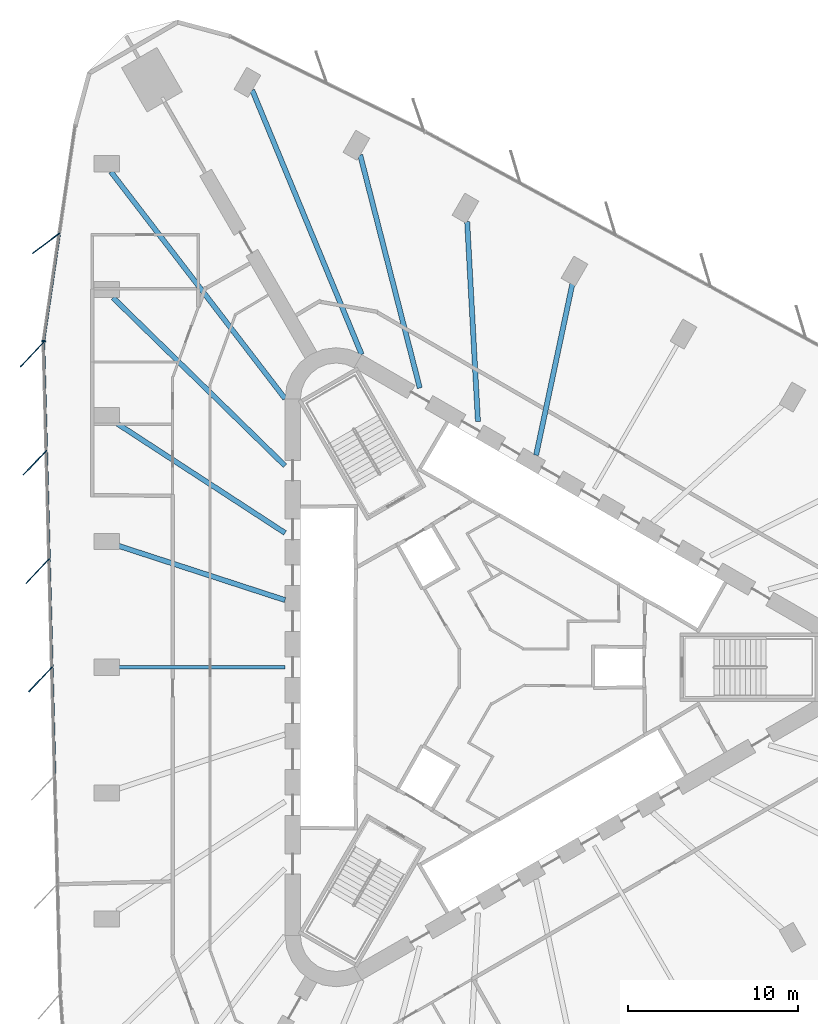
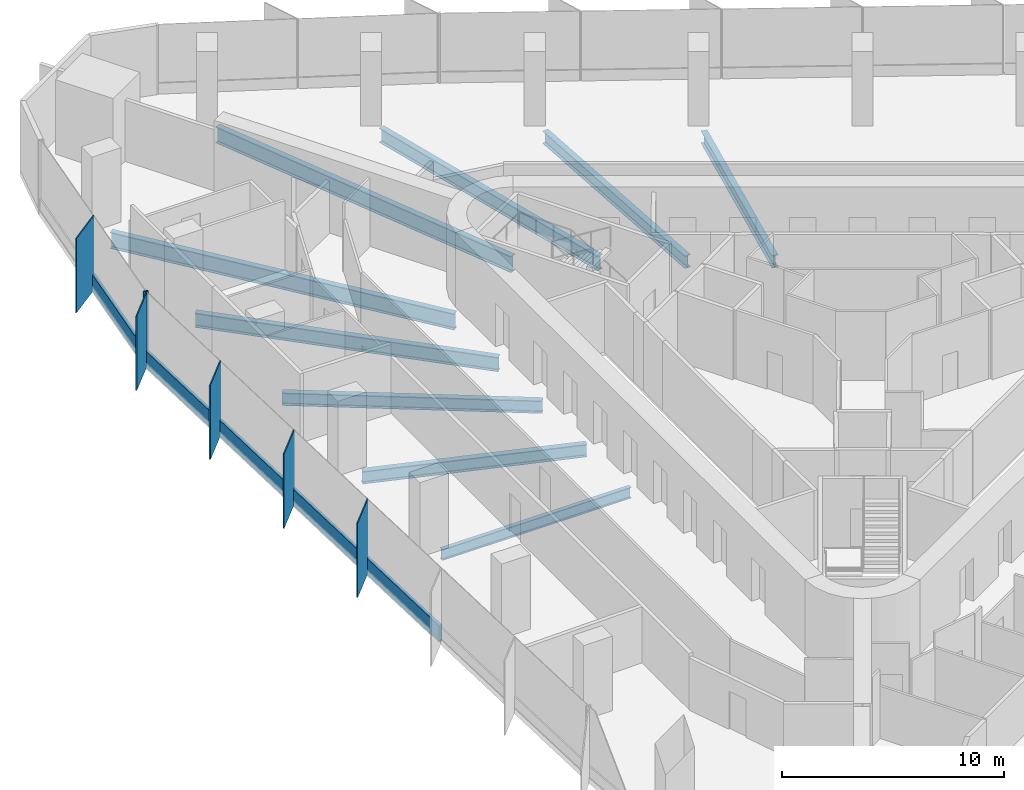
# One storey, part 4 of 14: 11 members, 9 beams, 2 elements without a shape of their own.
"""IFC4 building model written with IfcOpenShell, lengths in metres."""

from ifc_helpers import new_model, si_unit, direction, frame, origin, origin_2d, place, context, subcontext, project, spatial, rectangle, i_section, extrude, material, material_profile, profile_set, type_object, element, aggregate, save


model = new_model("IFC4")

# Units and contexts
model_context = context("Model", 3, precision=1e-05, world=origin(), true_north=direction((0.0, 1.0)))
body_context = subcontext(model_context, "Body", "Model", "MODEL_VIEW")
ifc_project = project(units=[si_unit("LENGTHUNIT", "METRE"), si_unit("AREAUNIT", "SQUARE_METRE"), si_unit("VOLUMEUNIT", "CUBIC_METRE"), si_unit("PLANEANGLEUNIT", "RADIAN"), si_unit("MASSUNIT", "GRAM", prefix="KILO")], contexts=[model_context])

# Site, building, storey
site_placement = place(None, origin())
site = spatial("IfcSite", under=ifc_project, at=site_placement, CompositionType="ELEMENT")
building_placement = place(site_placement, origin())
building = spatial("IfcBuilding", under=site, at=building_placement, Name="Tanit Gate Tower", CompositionType="ELEMENT")
storey_placement = place(building_placement, frame((0.0, 0.0, 143.89990234375)))
storey = spatial("IfcBuildingStorey", under=building, at=storey_placement, Name="L31", CompositionType="ELEMENT", Elevation=143.89990234375)

# Curtain wall, member
ifc_material_1 = material(Name="Aluminium bronze anodised and glass", Category="aluminium")
curtain_wall_type = type_object("IfcCurtainWallType", Name="Curtain wall typical low", PredefinedType="NOTDEFINED", material=ifc_material_1)
curtain_wall_1_placement = place(storey_placement, origin())
curtain_wall_1 = element("IfcCurtainWall", 1, at=curtain_wall_1_placement, inside=storey, type_object=curtain_wall_type, Name="Curtain wall L31 W1", PredefinedType="NOTDEFINED")
ifc_material_2 = material(Name="Aluminium bronze anodised", Category="aluminium")
ifc_material_profile_1 = material_profile(ifc_material_2, rectangle(XDim=2.0, YDim=0.055908203125, at=origin_2d()), Name="56x2000 bronze fin mullion")
ifc_profile_set_1 = profile_set([ifc_material_profile_1], Name="Aluminium bronze anodised")
member_type_1 = type_object("IfcMemberType", Name="FIN MULLION 56x2000 bronze", PredefinedType="MULLION", material=ifc_profile_set_1)
member_1_placement = place(storey_placement, frame((-26.133056640625, 24.8935546875, -0.2998046875), z_axis=(0.0, 0.0, 1.0), x_axis=(0.802295559178, 0.596926993629, 0.0)))
member_1 = element("IfcMember", 2, at=member_1_placement, type_object=member_type_1, Name="Fin mullion L31 W1.2", PredefinedType="MULLION", context=body_context, shape_type="SweptSolid", body=[
    extrude(rectangle(XDim=2.0, YDim=0.055908203125, at=origin_2d()), origin(), (0.0, 0.0, 1.0), 4.099853515625),
])

# Curtain wall, members
curtain_wall_2_placement = place(storey_placement, origin())
curtain_wall_2 = element("IfcCurtainWall", 3, at=curtain_wall_2_placement, inside=storey, type_object=curtain_wall_type, Name="Curtain wall L31 W2", PredefinedType="NOTDEFINED")
member_2_placement = place(storey_placement, frame((-26.954833984375, 18.363525390625, -0.2998046875), z_axis=(0.0, 0.0, 1.0), x_axis=(0.688538110764, 0.725200158595, 0.0)))
member_2 = element("IfcMember", 4, at=member_2_placement, type_object=member_type_1, Name="Fin mullion L31 W2.1", PredefinedType="MULLION", context=body_context, shape_type="SweptSolid", body=[
    extrude(rectangle(XDim=2.0, YDim=0.055908203125, at=origin_2d()), origin(), (0.0, 0.0, 1.0), 4.099853515625),
])
member_3_placement = place(storey_placement, frame((-26.7900390625, 12.005859375, -0.2998046875), z_axis=(0.0, 0.0, 1.0), x_axis=(0.688538110764, 0.725200158595, 0.0)))
member_3 = element("IfcMember", 5, at=member_3_placement, type_object=member_type_1, Name="Fin mullion L31 W2.2", PredefinedType="MULLION", context=body_context, shape_type="SweptSolid", body=[
    extrude(rectangle(XDim=2.0, YDim=0.055908203125, at=origin_2d()), origin(), (0.0, 0.0, 1.0), 4.099853515625),
])
member_4_placement = place(storey_placement, frame((-26.625244140625, 5.648193359375, -0.2998046875), z_axis=(0.0, 0.0, 1.0), x_axis=(0.688538110764, 0.725200158595, 0.0)))
member_4 = element("IfcMember", 6, at=member_4_placement, type_object=member_type_1, Name="Fin mullion L31 W2.3", PredefinedType="MULLION", context=body_context, shape_type="SweptSolid", body=[
    extrude(rectangle(XDim=2.0, YDim=0.055908203125, at=origin_2d()), origin(), (0.0, 0.0, 1.0), 4.099853515625),
])
member_5_placement = place(storey_placement, frame((-26.46044921875, -0.70947265625, -0.2998046875), z_axis=(0.0, 0.0, 1.0), x_axis=(0.688538110764, 0.725200158595, 0.0)))
member_5 = element("IfcMember", 7, at=member_5_placement, type_object=member_type_1, Name="Fin mullion L31 W2.4", PredefinedType="MULLION", context=body_context, shape_type="SweptSolid", body=[
    extrude(rectangle(XDim=2.0, YDim=0.055908203125, at=origin_2d()), origin(), (0.0, 0.0, 1.0), 4.099853515625),
])

# Member
ifc_material_3 = material(Name="Aluminium bronze anodised", Category="aluminium")
ifc_material_profile_2 = material_profile(ifc_material_3, rectangle(XDim=0.239990234375, YDim=0.080078125, at=origin_2d()), Name="80x240 bronze mullion")
ifc_profile_set_2 = profile_set([ifc_material_profile_2], Name="Aluminium bronze anodised")
member_type_2 = type_object("IfcMemberType", Name="Mullion 80x240 typical low", PredefinedType="MULLION", material=ifc_profile_set_2)
member_6_placement = place(storey_placement, frame((-26.277099609375, 19.15185546875, -0.2998046875), z_axis=(0.0, 0.0, 1.0), x_axis=(0.989399755479, -0.145217505343, 0.0)))
member_6 = element("IfcMember", 8, at=member_6_placement, type_object=member_type_2, Name="Mullion L31 W1.3", PredefinedType="MULLION", context=body_context, shape_type="SweptSolid", body=[
    extrude(rectangle(XDim=0.239990234375, YDim=0.080078125, at=origin_2d()), origin(), (0.0, 0.0, 1.0), 4.099853515625),
])

# Beams
ifc_material_4 = material(Name="Steel S355", Category="steel")
ifc_material_profile_3 = material_profile(ifc_material_4, i_section(OverallWidth=0.300048828125, OverallDepth=0.68994140625, WebThickness=0.014404296875, FlangeThickness=0.027099609375, FilletRadius=0.027099609375, at=origin_2d()), Name="HEA 700")
ifc_profile_set_3 = profile_set([ifc_material_profile_3], Name="Steel S355")
beam_type_1 = type_object("IfcBeamType", Name="RADIAL GIRDER HEA 700 S355", PredefinedType="BEAM", material=ifc_profile_set_3)
beam_1_placement = place(storey_placement, frame((4.781005859375, 22.5751953125, -0.64501953125), z_axis=(-0.207169644951, -0.978305033316, 0.0), x_axis=(0.978305033316, -0.207169644951, 0.0)))
element("IfcBeam", 9, at=beam_1_placement, inside=storey, type_object=beam_type_1, Name="RADIAL GIRDER", PredefinedType="BEAM", context=body_context, shape_type="SweptSolid", body=[
    extrude(i_section(OverallWidth=0.300048828125, OverallDepth=0.68994140625, WebThickness=0.014404296875, FlangeThickness=0.027099609375, FilletRadius=0.027099609375, at=origin_2d()), origin(), (0.0, 0.0, 1.0), 10.34814453125),
])
beam_2_placement = place(storey_placement, frame((-1.409912109375, 26.173828125, -0.64501953125), z_axis=(0.053793562389, -0.998552078084, 0.0), x_axis=(0.998552078084, 0.053793562389, 0.0)))
element("IfcBeam", 10, at=beam_2_placement, inside=storey, type_object=beam_type_1, Name="RADIAL GIRDER", PredefinedType="BEAM", context=body_context, shape_type="SweptSolid", body=[
    extrude(i_section(OverallWidth=0.300048828125, OverallDepth=0.68994140625, WebThickness=0.014404296875, FlangeThickness=0.027099609375, FilletRadius=0.027099609375, at=origin_2d()), origin(), (0.0, 0.0, 1.0), 11.768310546875),
])
beam_3_placement = place(storey_placement, frame((-21.962158203125, 14.307861328125, -0.64501953125), z_axis=(0.837879591386, -0.54585510013, 0.0), x_axis=(0.54585510013, 0.837879591386, 0.0)))
element("IfcBeam", 11, at=beam_3_placement, inside=storey, type_object=beam_type_1, Name="RADIAL GIRDER", PredefinedType="BEAM", context=body_context, shape_type="SweptSolid", body=[
    extrude(i_section(OverallWidth=0.300048828125, OverallDepth=0.68994140625, WebThickness=0.014404296875, FlangeThickness=0.027099609375, FilletRadius=0.027099609375, at=origin_2d()), origin(), (0.0, 0.0, 1.0), 11.767822265625),
])
beam_4_placement = place(storey_placement, frame((-21.94140625, 7.147216796875, -0.64501953125), z_axis=(0.950826843828, -0.309722961783, 0.0), x_axis=(0.309722961783, 0.950826843828, 0.0)))
element("IfcBeam", 12, at=beam_4_placement, inside=storey, type_object=beam_type_1, Name="RADIAL GIRDER", PredefinedType="BEAM", context=body_context, shape_type="SweptSolid", body=[
    extrude(i_section(OverallWidth=0.300048828125, OverallDepth=0.68994140625, WebThickness=0.014404296875, FlangeThickness=0.027099609375, FilletRadius=0.027099609375, at=origin_2d()), origin(), (0.0, 0.0, 1.0), 10.34814453125),
])
ifc_material_5 = material(Name="Steel S355", Category="steel")
ifc_material_profile_4 = material_profile(ifc_material_5, i_section(OverallWidth=0.300048828125, OverallDepth=0.7900390625, WebThickness=0.014892578125, FlangeThickness=0.028076171875, FilletRadius=0.030029296875, at=origin_2d()), Name="HEA 800")
ifc_profile_set_4 = profile_set([ifc_material_profile_4], Name="Steel S355")
beam_type_2 = type_object("IfcBeamType", Name="RADIAL GIRDER HEA 800 S355", PredefinedType="BEAM", material=ifc_profile_set_4)
beam_5_placement = place(storey_placement, frame((-7.689697265625, 30.079833984375, -0.69482421875), z_axis=(0.247680464788, -0.968841776227, 0.0), x_axis=(0.968841776227, 0.247680464788, 0.0)))
element("IfcBeam", 13, at=beam_5_placement, inside=storey, type_object=beam_type_2, Name="RADIAL GIRDER", PredefinedType="BEAM", context=body_context, shape_type="SweptSolid", body=[
    extrude(i_section(OverallWidth=0.300048828125, OverallDepth=0.7900390625, WebThickness=0.014892578125, FlangeThickness=0.028076171875, FilletRadius=0.030029296875, at=origin_2d()), origin(), (0.0, 0.0, 1.0), 14.126220703125),
])
beam_6_placement = place(storey_placement, frame((-22.205078125, 21.69921875, -0.69482421875), z_axis=(0.715208800213, -0.698910847031, 0.0), x_axis=(0.698910847031, 0.715208800213, 0.0)))
element("IfcBeam", 14, at=beam_6_placement, inside=storey, type_object=beam_type_2, Name="RADIAL GIRDER", PredefinedType="BEAM", context=body_context, shape_type="SweptSolid", body=[
    extrude(i_section(OverallWidth=0.300048828125, OverallDepth=0.7900390625, WebThickness=0.014892578125, FlangeThickness=0.028076171875, FilletRadius=0.030029296875, at=origin_2d()), origin(), (0.0, 0.0, 1.0), 14.1259765625),
])
ifc_material_6 = material(Name="Steel S355", Category="steel")
ifc_material_profile_5 = material_profile(ifc_material_6, i_section(OverallWidth=0.300048828125, OverallDepth=0.889892578125, WebThickness=0.01611328125, FlangeThickness=0.030029296875, FilletRadius=0.030029296875, at=origin_2d()), Name="HEA 900")
ifc_profile_set_5 = profile_set([ifc_material_profile_5], Name="Steel S355")
beam_type_3 = type_object("IfcBeamType", Name="RADIAL GIRDER HEA 900 S355", PredefinedType="BEAM", material=ifc_profile_set_5)
for number, where, z_axis, x_axis, name in (
    (15, (-14.030029296875, 33.880859375, -0.744873046875), (0.382589309945, -0.923918513677, 0.0), (0.923918513677, 0.382589309945, 0.0), "RADIAL GIRDER"),
    (16, (-22.32666015625, 29.0908203125, -0.744873046875), (0.60883155025, -0.793299529446, 0.0), (0.793299529446, 0.60883155025, 0.0), "RADIAL GIRDER"),
):
    element("IfcBeam", number, at=place(storey_placement, frame(where, z_axis=z_axis, x_axis=x_axis)), inside=storey, type_object=beam_type_3, Name=name, PredefinedType="BEAM", context=body_context, shape_type="SweptSolid", body=[
        extrude(i_section(OverallWidth=0.300048828125, OverallDepth=0.889892578125, WebThickness=0.01611328125, FlangeThickness=0.030029296875, FilletRadius=0.030029296875, at=origin_2d()), origin(), (0.0, 0.0, 1.0), 16.794921875),
    ])
ifc_material_7 = material(Name="Steel S355", Category="steel")
ifc_material_profile_6 = material_profile(ifc_material_7, i_section(OverallWidth=0.219970703125, OverallDepth=0.60009765625, WebThickness=0.011962890625, FlangeThickness=0.01904296875, FilletRadius=0.02392578125, at=origin_2d()), Name="IPE 600")
ifc_profile_set_6 = profile_set([ifc_material_profile_6], Name="Steel S355")
beam_type_4 = type_object("IfcBeamType", Name="RADIAL GIRDER IPE 600 S355", PredefinedType="BEAM", material=ifc_profile_set_6)
beam_7_placement = place(storey_placement, frame((-21.94140625, 0.0, -0.599853515625), z_axis=(1.0, 0.0, 0.0), x_axis=(0.0, 1.0, 0.0)))
element("IfcBeam", 17, at=beam_7_placement, inside=storey, type_object=beam_type_4, Name="RADIAL GIRDER", PredefinedType="BEAM", context=body_context, shape_type="SweptSolid", body=[
    extrude(i_section(OverallWidth=0.219970703125, OverallDepth=0.60009765625, WebThickness=0.011962890625, FlangeThickness=0.01904296875, FilletRadius=0.02392578125, at=origin_2d()), origin(), (0.0, 0.0, 1.0), 9.83935546875),
])

# Member
ifc_material_8 = material(Name="Aluminium bronze anodised", Category="aluminium")
ifc_material_profile_7 = material_profile(ifc_material_8, rectangle(XDim=0.159912109375, YDim=0.89990234375, at=origin_2d()), Name="160x900 bronze transom")
ifc_profile_set_7 = profile_set([ifc_material_profile_7], Name="Aluminium bronze anodised")
member_type_3 = type_object("IfcMemberType", Name="Transom 160x900 typical low", PredefinedType="USERDEFINED", material=ifc_profile_set_7)
member_7_placement = place(storey_placement, frame((-25.354736328125, 25.437255859375, 0.150146484375), z_axis=(-0.145221203289, -0.989399212712, 0.0), x_axis=(0.989399212712, -0.145221203289, 0.0)))
member_7 = element("IfcMember", 18, at=member_7_placement, type_object=member_type_3, Name="Transom L31 W1.2", ObjectType="TRANSOM", PredefinedType="USERDEFINED", context=body_context, shape_type="SweptSolid", body=[
    extrude(rectangle(XDim=0.159912109375, YDim=0.89990234375, at=origin_2d()), origin(), (0.0, 0.0, 1.0), 6.312744140625),
])

aggregate(curtain_wall_1, [member_1, member_6, member_7])

member_8_placement = place(storey_placement, frame((-26.281005859375, 19.0322265625, 0.150146484375), z_axis=(0.025931462812, -0.999663723077, 0.0), x_axis=(0.999663723077, 0.025931462812, 0.0)))
member_8 = element("IfcMember", 19, at=member_8_placement, type_object=member_type_3, Name="Transom L31 W2.1", ObjectType="TRANSOM", PredefinedType="USERDEFINED", context=body_context, shape_type="SweptSolid", body=[
    extrude(rectangle(XDim=0.159912109375, YDim=0.89990234375, at=origin_2d()), origin(), (0.0, 0.0, 1.0), 6.27978515625),
])

member_9_placement = place(storey_placement, frame((-26.115966796875, 12.674560546875, 0.150146484375), z_axis=(0.025892611141, -0.999664730141, 0.0), x_axis=(0.999664730141, 0.025892611141, 0.0)))
member_9 = element("IfcMember", 20, at=member_9_placement, type_object=member_type_3, Name="Transom L31 W2.2", ObjectType="TRANSOM", PredefinedType="USERDEFINED", context=body_context, shape_type="SweptSolid", body=[
    extrude(rectangle(XDim=0.159912109375, YDim=0.89990234375, at=origin_2d()), origin(), (0.0, 0.0, 1.0), 6.27978515625),
])

member_10_placement = place(storey_placement, frame((-25.951171875, 6.31689453125, 0.150146484375), z_axis=(0.025930455033, -0.999663749219, 0.0), x_axis=(0.999663749219, 0.025930455033, 0.0)))
member_10 = element("IfcMember", 21, at=member_10_placement, type_object=member_type_3, Name="Transom L31 W2.3", ObjectType="TRANSOM", PredefinedType="USERDEFINED", context=body_context, shape_type="SweptSolid", body=[
    extrude(rectangle(XDim=0.159912109375, YDim=0.89990234375, at=origin_2d()), origin(), (0.0, 0.0, 1.0), 6.280029296875),
])

member_11_placement = place(storey_placement, frame((-25.786376953125, -0.040771484375, 0.150146484375), z_axis=(0.025930455033, -0.999663749219, 0.0), x_axis=(0.999663749219, 0.025930455033, 0.0)))
member_11 = element("IfcMember", 22, at=member_11_placement, type_object=member_type_3, Name="Transom L31 W2.4", ObjectType="TRANSOM", PredefinedType="USERDEFINED", context=body_context, shape_type="SweptSolid", body=[
    extrude(rectangle(XDim=0.159912109375, YDim=0.89990234375, at=origin_2d()), origin(), (0.0, 0.0, 1.0), 6.280029296875),
])

aggregate(curtain_wall_2, [member_2, member_3, member_4, member_5, member_8, member_9, member_10, member_11])

save(model, "model.ifc")
